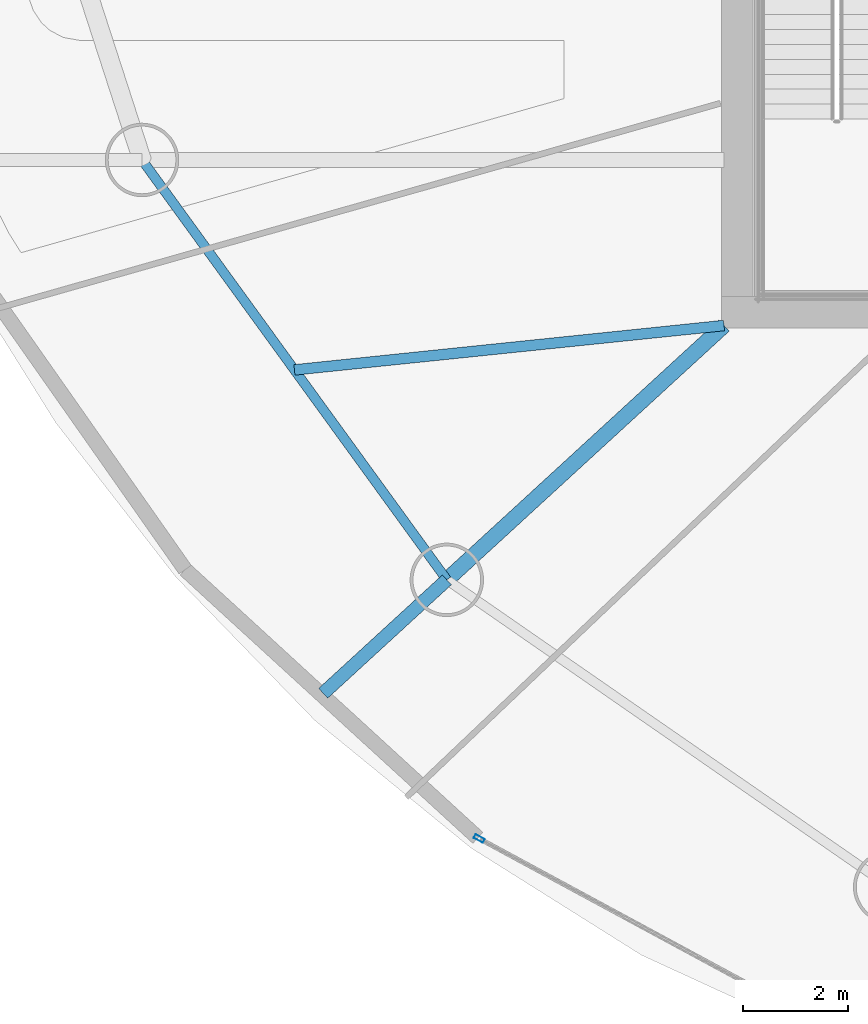
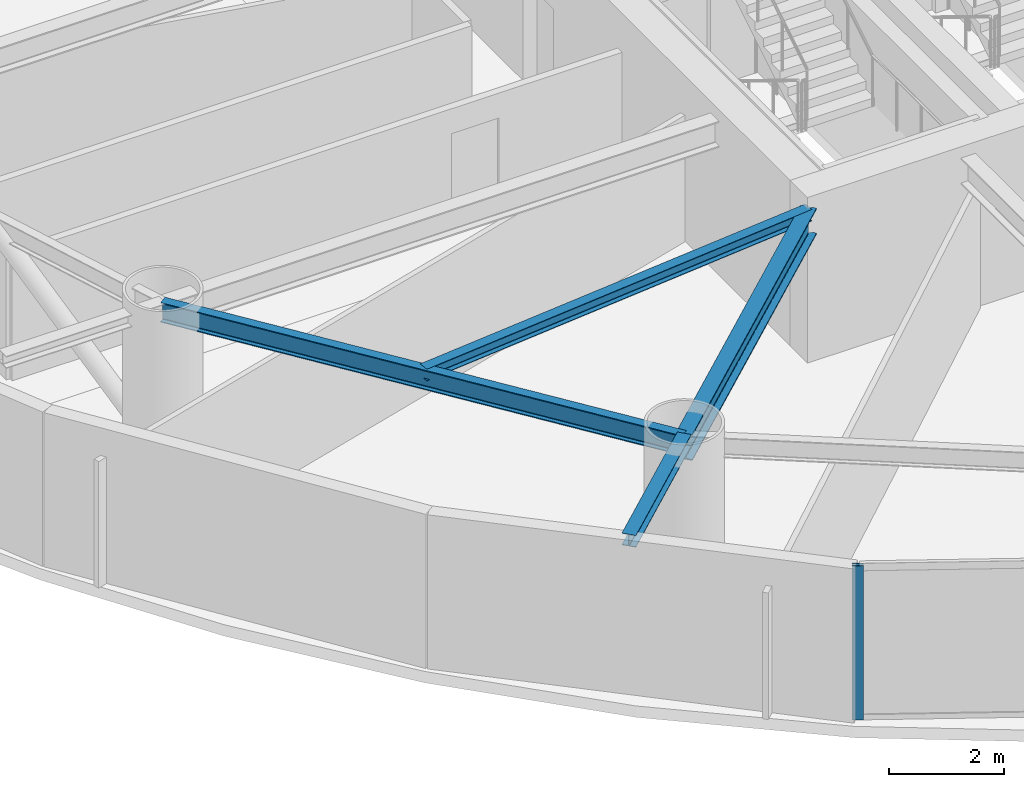
# One storey, part 2 of 22: 4 beams, 1 member, 1 element without a shape of its own.
"""IFC4 building model written with IfcOpenShell, lengths in metres."""

from ifc_helpers import new_model, si_unit, direction, frame, origin, origin_2d, place, context, subcontext, project, spatial, hollow_rectangle, i_section, extrude, material, layer, layer_set, material_profile, profile_set, type_object, element, aggregate, save


model = new_model("IFC4")

# Units and contexts
model_context = context("Model", 3, precision=1e-05, world=origin(), true_north=direction((0.0, 1.0)))
body_context = subcontext(model_context, "Body", "Model", "MODEL_VIEW")
ifc_project = project(units=[si_unit("LENGTHUNIT", "METRE"), si_unit("AREAUNIT", "SQUARE_METRE"), si_unit("VOLUMEUNIT", "CUBIC_METRE"), si_unit("PLANEANGLEUNIT", "RADIAN"), si_unit("MASSUNIT", "GRAM", prefix="KILO")], contexts=[model_context])

# Site, building, storey
site_placement = place(None, origin())
site = spatial("IfcSite", under=ifc_project, at=site_placement, CompositionType="ELEMENT")
building_placement = place(site_placement, origin())
building = spatial("IfcBuilding", under=site, at=building_placement, Name="Bramvorn Convention Spire", CompositionType="ELEMENT")
storey_placement = place(building_placement, frame((0.0, 0.0, 116.800048828125)))
storey = spatial("IfcBuildingStorey", under=building, at=storey_placement, Name="L28", CompositionType="ELEMENT", Elevation=116.800048828125)

# Beams
ifc_material_1 = material(Name="Steel CSA G40.21 Grade 350 (350W)", Category="steel")
ifc_material_profile_1 = material_profile(ifc_material_1, i_section(OverallWidth=0.201904296875, OverallDepth=0.2470703125, WebThickness=0.00732421875, FlangeThickness=0.010986328125, FilletRadius=0.011962890625, at=origin_2d()))
ifc_profile_set_1 = profile_set([ifc_material_profile_1], Name="Steel CSA G40.21 Grade 350 (350W) - W250X49")
beam_type_1 = type_object("IfcBeamType", Name="BM-W250X49", PredefinedType="JOIST", material=ifc_profile_set_1)
beam_1_placement = place(storey_placement, frame((26.75, 18.550048828125, 3.136474609375), z_axis=(-0.994705076194, -0.102770673804, 0.0), x_axis=(0.102770673804, -0.994705076194, 0.0)))
element("IfcBeam", 1, at=beam_1_placement, inside=storey, type_object=beam_type_1, Name="L28 composite floor joist 11", PredefinedType="JOIST", context=body_context, shape_type="SweptSolid", body=[
    extrude(i_section(OverallWidth=0.201904296875, OverallDepth=0.2470703125, WebThickness=0.00732421875, FlangeThickness=0.010986328125, FilletRadius=0.011962890625, at=origin_2d()), origin(), (0.0, 0.0, 1.0), 8.23388671875),
])
ifc_material_profile_2 = material_profile(ifc_material_1, i_section(OverallWidth=0.25390625, OverallDepth=0.2529296875, WebThickness=0.008544921875, FlangeThickness=0.01416015625, FilletRadius=0.011962890625, at=origin_2d()))
ifc_profile_set_2 = profile_set([ifc_material_profile_2], Name="Steel CSA G40.21 Grade 350 (350W) - W250X73")
beam_type_2 = type_object("IfcBeamType", Name="BM-W250X73", PredefinedType="BEAM", material=ifc_profile_set_2)
beam_2_placement = place(storey_placement, frame((21.465087890625, 13.700927734375, 3.133544921875), z_axis=(-0.736821501531, -0.676087327852, 0.0), x_axis=(0.676087327852, -0.736821501531, 0.0)))
element("IfcBeam", 2, at=beam_2_placement, inside=storey, type_object=beam_type_2, Name="L28 slab-edge cantilever tip beam MC12", PredefinedType="BEAM", context=body_context, shape_type="SweptSolid", body=[
    extrude(i_section(OverallWidth=0.25390625, OverallDepth=0.2529296875, WebThickness=0.008544921875, FlangeThickness=0.01416015625, FilletRadius=0.011962890625, at=origin_2d()), origin(), (0.0, 0.0, 1.0), 3.19970703125),
])
ifc_material_profile_3 = material_profile(ifc_material_1, i_section(OverallWidth=0.180908203125, OverallDepth=0.4169921875, WebThickness=0.010986328125, FlangeThickness=0.018310546875, FilletRadius=0.01611328125, at=origin_2d()))
ifc_profile_set_3 = profile_set([ifc_material_profile_3], Name="Steel CSA G40.21 Grade 350 (350W) - W410X85")
beam_type_3 = type_object("IfcBeamType", Name="BM-W410X85", PredefinedType="JOIST", material=ifc_profile_set_3)
beam_3_placement = place(storey_placement, frame((15.654296875, 21.706787109375, 3.051513671875), z_axis=(0.587401024629, -0.809296012757, 0.0), x_axis=(0.809296012757, 0.587401024629, 0.0)))
element("IfcBeam", 3, at=beam_3_placement, inside=storey, type_object=beam_type_3, Name="L28 mega-column ring beam 11", PredefinedType="JOIST", context=body_context, shape_type="SweptSolid", body=[
    extrude(i_section(OverallWidth=0.180908203125, OverallDepth=0.4169921875, WebThickness=0.010986328125, FlangeThickness=0.018310546875, FilletRadius=0.01611328125, at=origin_2d()), origin(), (0.0, 0.0, 1.0), 9.892333984375),
])
ifc_material_profile_4 = material_profile(ifc_material_1, i_section(OverallWidth=0.2919921875, OverallDepth=0.551025390625, WebThickness=0.01513671875, FlangeThickness=0.0244140625, FilletRadius=0.01904296875, at=origin_2d()))
ifc_profile_set_4 = profile_set([ifc_material_profile_4], Name="Steel CSA G40.21 Grade 350 (350W) - W530X182")
beam_type_4 = type_object("IfcBeamType", Name="BM-W530X182", PredefinedType="BEAM", material=ifc_profile_set_4)
beam_4_placement = place(storey_placement, frame((26.75, 18.550048828125, 2.984375), z_axis=(-0.736833323746, -0.676074443399, 0.0), x_axis=(0.676074443399, -0.736833323746, 0.0)))
element("IfcBeam", 4, at=beam_4_placement, inside=storey, type_object=beam_type_4, Name="L28 radial floor girder MC12", PredefinedType="BEAM", context=body_context, shape_type="SweptSolid", body=[
    extrude(i_section(OverallWidth=0.2919921875, OverallDepth=0.551025390625, WebThickness=0.01513671875, FlangeThickness=0.0244140625, FilletRadius=0.01904296875, at=origin_2d()), origin(), (0.0, 0.0, 1.0), 7.17236328125),
])

# Curtain wall, member
ifc_material_2 = material(Name="Anodised Bronze Unitised Curtain Wall", Category="aluminium")
ifc_layer = layer(ifc_material_2, 0.179931640625)
ifc_layer_set = layer_set([ifc_layer], Name="Anodised Bronze Unitised Curtain Wall - CW-HTL-FRIT")
curtain_wall_type = type_object("IfcCurtainWallType", Name="CW-HTL-FRIT", PredefinedType="USERDEFINED", material=ifc_layer_set)
curtain_wall_placement = place(storey_placement, origin())
curtain_wall = element("IfcCurtainWall", 5, at=curtain_wall_placement, inside=storey, type_object=curtain_wall_type, Name="L28 fritted glass curtain wall 18", ObjectType="UNITISED CURTAIN WALL", PredefinedType="USERDEFINED")
ifc_material_3 = material(Name="Anodised Bronze Aluminium 6063-T6", Category="aluminium")
ifc_material_profile_5 = material_profile(ifc_material_3, hollow_rectangle(XDim=0.080078125, YDim=0.199951171875, WallThickness=0.00390625, InnerFilletRadius=0.0009765625, OuterFilletRadius=0.00390625, at=origin_2d()))
ifc_profile_set_5 = profile_set([ifc_material_profile_5], Name="Anodised Bronze Aluminium 6063-T6 - CWM80X200")
member_type = type_object("IfcMemberType", Name="CW-MUL-180", PredefinedType="MULLION", material=ifc_profile_set_5)
member_placement = place(storey_placement, frame((22.0830078125, 8.76806640625, 0.0), z_axis=(0.0, 0.0, 1.0), x_axis=(-0.475592815973, -0.879665546327, 0.0)))
member = element("IfcMember", 6, at=member_placement, type_object=member_type, Name="CW2 mullion 2", PredefinedType="MULLION", context=body_context, shape_type="SweptSolid", body=[
    extrude(hollow_rectangle(XDim=0.080078125, YDim=0.199951171875, WallThickness=0.00390625, InnerFilletRadius=0.0009765625, OuterFilletRadius=0.00390625, at=origin_2d()), origin(), (0.0, 0.0, 1.0), 3.260009765625),
])
aggregate(curtain_wall, [member])

save(model, "model.ifc")
